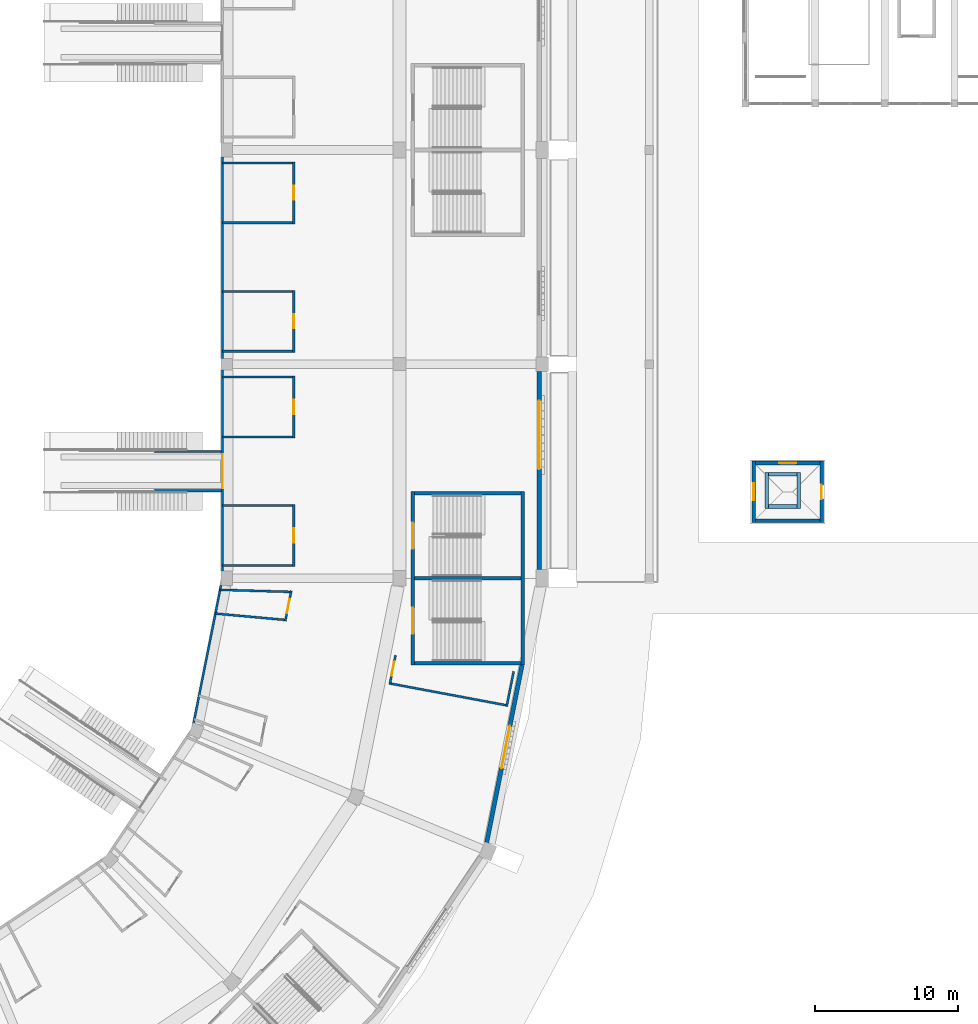
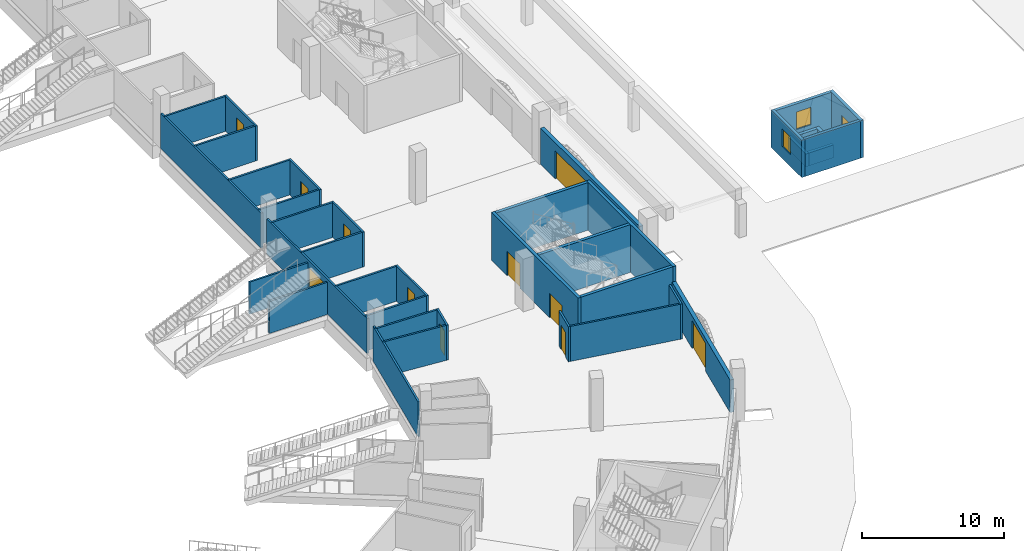
# One storey, part 33 of 175: 38 walls, 12 doors, 2 windows, 14 openings.
"""IFC4 building model written with IfcOpenShell, lengths in metres."""

from ifc_helpers import new_model, si_unit, direction, frame, frame_2d, origin, place, context, subcontext, project, spatial, rectangle, extrude, material, layer, layer_set, type_object, element, fill, save


model = new_model("IFC4")

# Units and contexts
model_context = context("Model", 3, precision=1e-05, world=origin(), true_north=direction((0.0, 1.0)))
body_context = subcontext(model_context, "Body", "Model", "MODEL_VIEW")
ifc_project = project(units=[si_unit("LENGTHUNIT", "METRE"), si_unit("AREAUNIT", "SQUARE_METRE"), si_unit("VOLUMEUNIT", "CUBIC_METRE"), si_unit("PLANEANGLEUNIT", "RADIAN"), si_unit("MASSUNIT", "GRAM", prefix="KILO")], contexts=[model_context])

# Site, building, storey
site_placement = place(None, origin())
site = spatial("IfcSite", under=ifc_project, at=site_placement, CompositionType="ELEMENT")
building_placement = place(site_placement, origin())
building = spatial("IfcBuilding", under=site, at=building_placement, Name="Ogive Plaza Stadium", CompositionType="ELEMENT")
storey_placement = place(building_placement, origin())
storey = spatial("IfcBuildingStorey", under=building, at=storey_placement, Name="L00", CompositionType="ELEMENT", Elevation=0.0)

# Wall, opening, door
ifc_material_1 = material(Name="Masonry blockwork", Category="masonry")
ifc_layer_1 = layer(ifc_material_1, 0.14990234375)
ifc_layer_set_1 = layer_set([ifc_layer_1], Name="Blockwork wall 150")
wall_type_1 = type_object("IfcWallType", Name="Blockwork wall 150", PredefinedType="SOLIDWALL", material=ifc_layer_set_1)
wall_1_placement = place(storey_placement, frame((66.60009765625, -23.324951171875, 0.0), z_axis=(0.0, 0.0, 1.0), x_axis=(0.0, -1.0, 0.0)))
wall_1 = element("IfcWall", 1, at=wall_1_placement, inside=storey, type_object=wall_type_1, Name="Wall L00 B06", PredefinedType="SOLIDWALL", context=body_context, shape_type="SweptSolid", body=[
    extrude(rectangle(XDim=4.35009765625, YDim=0.14990234375, at=frame_2d((2.175048828125, 0.0))), origin(), (0.0, 0.0, 1.0), 3.0),
])
opening_1_placement = place(wall_1_placement, frame((1.675048828125, 0.0, 0.0)))
opening_1 = element("IfcOpeningElement", 2, at=opening_1_placement, cuts=wall_1, Name="Opening D0385", PredefinedType="OPENING", context=body_context, shape_type="SweptSolid", body=[
    extrude(rectangle(XDim=1.0, YDim=2.10009765625, at=frame_2d((0.5, 1.050048828125))), frame((0.0, 0.074951171875, 0.0), z_axis=(0.0, -1.0, 0.0), x_axis=(1.0, 0.0, 0.0)), (0.0, 0.0, 1.0), 0.14990234375),
])
ifc_material_2 = material(Name="Steel ASTM A572 Grade 50", Category="steel")
door_type_1 = type_object("IfcDoorType", Name="Door 1000 x 2100", OperationType="SINGLE_SWING_LEFT", PredefinedType="DOOR", material=ifc_material_2)
door_1_placement = place(opening_1_placement, origin())
door_1 = element("IfcDoor", 3, at=door_1_placement, inside=storey, type_object=door_type_1, Name="Concession Stand B06 door", OperationType="SINGLE_SWING_RIGHT", OverallHeight=2.10009765625, OverallWidth=1.0, PredefinedType="DOOR", context=body_context, shape_type="SweptSolid", body=[
    extrude(rectangle(XDim=1.0, YDim=2.10009765625, at=frame_2d((0.5, 1.050048828125))), frame((0.0, 0.02490234375, 0.0), z_axis=(0.0, -1.0, 0.0), x_axis=(1.0, 0.0, 0.0)), (0.0, 0.0, 1.0), 0.050048828125),
])
fill(opening_1, door_1)

# Walls
for number, where, z_axis, x_axis, name in (
    (4, (61.60009765625, -23.39990234375, 0.0), (0.0, 0.0, 1.0), (1.0, 0.0, 0.0), "Wall L00 B06"),
    (5, (61.60009765625, -27.60009765625, 0.0), (0.0, 0.0, 1.0), (1.0, 0.0, 0.0), "Wall L00 B06"),
):
    element("IfcWall", number, at=place(storey_placement, frame(where, z_axis=z_axis, x_axis=x_axis)), inside=storey, type_object=wall_type_1, Name=name, PredefinedType="SOLIDWALL", context=body_context, shape_type="SweptSolid", body=[
        extrude(rectangle(XDim=4.9248046875, YDim=0.14990234375, at=frame_2d((2.46240234375, 0.0))), origin(), (0.0, 0.0, 1.0), 3.0),
    ])

# Wall, opening, door
wall_2_placement = place(storey_placement, frame((66.60009765625, -32.324951171875, 0.0), z_axis=(0.0, 0.0, 1.0), x_axis=(0.0, -1.0, 0.0)))
wall_2 = element("IfcWall", 6, at=wall_2_placement, inside=storey, type_object=wall_type_1, Name="Wall L00 B06", PredefinedType="SOLIDWALL", context=body_context, shape_type="SweptSolid", body=[
    extrude(rectangle(XDim=4.35009765625, YDim=0.14990234375, at=frame_2d((2.175048828125, 0.0))), origin(), (0.0, 0.0, 1.0), 3.0),
])
opening_2_placement = place(wall_2_placement, frame((1.675048828125, 0.0, 0.0)))
opening_2 = element("IfcOpeningElement", 7, at=opening_2_placement, cuts=wall_2, Name="Opening D0386", PredefinedType="OPENING", context=body_context, shape_type="SweptSolid", body=[
    extrude(rectangle(XDim=1.0, YDim=2.10009765625, at=frame_2d((0.5, 1.050048828125))), frame((0.0, 0.074951171875, 0.0), z_axis=(0.0, -1.0, 0.0), x_axis=(1.0, 0.0, 0.0)), (0.0, 0.0, 1.0), 0.14990234375),
])
door_2_placement = place(opening_2_placement, origin())
door_2 = element("IfcDoor", 8, at=door_2_placement, inside=storey, type_object=door_type_1, Name="Concession Stand B06 door", OperationType="SINGLE_SWING_LEFT", OverallHeight=2.10009765625, OverallWidth=1.0, PredefinedType="DOOR", context=body_context, shape_type="SweptSolid", body=[
    extrude(rectangle(XDim=1.0, YDim=2.10009765625, at=frame_2d((0.5, 1.050048828125))), frame((0.0, 0.02490234375, 0.0), z_axis=(0.0, -1.0, 0.0), x_axis=(1.0, 0.0, 0.0)), (0.0, 0.0, 1.0), 0.050048828125),
])
fill(opening_2, door_2)

# Walls
for number, where, z_axis, x_axis, name in (
    (9, (61.60009765625, -32.39990234375, 0.0), (0.0, 0.0, 1.0), (1.0, 0.0, 0.0), "Wall L00 B06"),
    (10, (61.60009765625, -36.60009765625, 0.0), (0.0, 0.0, 1.0), (1.0, 0.0, 0.0), "Wall L00 B06"),
):
    element("IfcWall", number, at=place(storey_placement, frame(where, z_axis=z_axis, x_axis=x_axis)), inside=storey, type_object=wall_type_1, Name=name, PredefinedType="SOLIDWALL", context=body_context, shape_type="SweptSolid", body=[
        extrude(rectangle(XDim=4.9248046875, YDim=0.14990234375, at=frame_2d((2.46240234375, 0.0))), origin(), (0.0, 0.0, 1.0), 3.0),
    ])

# Wall, opening, door
wall_3_placement = place(storey_placement, frame((66.60009765625, -51.675048828125, 0.0), z_axis=(0.0, 0.0, 1.0), x_axis=(0.0, 1.0, 0.0)))
wall_3 = element("IfcWall", 11, at=wall_3_placement, inside=storey, type_object=wall_type_1, Name="Wall L00 B07", PredefinedType="SOLIDWALL", context=body_context, shape_type="SweptSolid", body=[
    extrude(rectangle(XDim=4.35009765625, YDim=0.14990234375, at=frame_2d((2.175048828125, 0.0))), origin(), (0.0, 0.0, 1.0), 3.0),
])
opening_3_placement = place(wall_3_placement, frame((1.675048828125, 0.0, 0.0)))
opening_3 = element("IfcOpeningElement", 12, at=opening_3_placement, cuts=wall_3, Name="Opening D0387", PredefinedType="OPENING", context=body_context, shape_type="SweptSolid", body=[
    extrude(rectangle(XDim=1.0, YDim=2.10009765625, at=frame_2d((0.5, 1.050048828125))), frame((0.0, 0.074951171875, 0.0), z_axis=(0.0, -1.0, 0.0), x_axis=(1.0, 0.0, 0.0)), (0.0, 0.0, 1.0), 0.14990234375),
])
door_3_placement = place(opening_3_placement, origin())
door_3 = element("IfcDoor", 13, at=door_3_placement, inside=storey, type_object=door_type_1, Name="Concession Stand B07 door", OperationType="SINGLE_SWING_LEFT", OverallHeight=2.10009765625, OverallWidth=1.0, PredefinedType="DOOR", context=body_context, shape_type="SweptSolid", body=[
    extrude(rectangle(XDim=1.0, YDim=2.10009765625, at=frame_2d((0.5, 1.050048828125))), frame((0.0, 0.02490234375, 0.0), z_axis=(0.0, -1.0, 0.0), x_axis=(1.0, 0.0, 0.0)), (0.0, 0.0, 1.0), 0.050048828125),
])
fill(opening_3, door_3)

# Walls
for number, where, z_axis, x_axis, name in (
    (14, (61.60009765625, -51.60009765625, 0.0), (0.0, 0.0, 1.0), (1.0, 0.0, 0.0), "Wall L00 B07"),
    (15, (61.60009765625, -47.39990234375, 0.0), (0.0, 0.0, 1.0), (1.0, 0.0, 0.0), "Wall L00 B07"),
):
    element("IfcWall", number, at=place(storey_placement, frame(where, z_axis=z_axis, x_axis=x_axis)), inside=storey, type_object=wall_type_1, Name=name, PredefinedType="SOLIDWALL", context=body_context, shape_type="SweptSolid", body=[
        extrude(rectangle(XDim=4.9248046875, YDim=0.14990234375, at=frame_2d((2.46240234375, 0.0))), origin(), (0.0, 0.0, 1.0), 3.0),
    ])

# Wall, opening, door
wall_4_placement = place(storey_placement, frame((66.60009765625, -42.675048828125, 0.0), z_axis=(0.0, 0.0, 1.0), x_axis=(0.0, 1.0, 0.0)))
wall_4 = element("IfcWall", 16, at=wall_4_placement, inside=storey, type_object=wall_type_1, Name="Wall L00 B07", PredefinedType="SOLIDWALL", context=body_context, shape_type="SweptSolid", body=[
    extrude(rectangle(XDim=4.35009765625, YDim=0.14990234375, at=frame_2d((2.175048828125, 0.0))), origin(), (0.0, 0.0, 1.0), 3.0),
])
opening_4_placement = place(wall_4_placement, frame((1.675048828125, 0.0, 0.0)))
opening_4 = element("IfcOpeningElement", 17, at=opening_4_placement, cuts=wall_4, Name="Opening D0388", PredefinedType="OPENING", context=body_context, shape_type="SweptSolid", body=[
    extrude(rectangle(XDim=1.0, YDim=2.10009765625, at=frame_2d((0.5, 1.050048828125))), frame((0.0, 0.074951171875, 0.0), z_axis=(0.0, -1.0, 0.0), x_axis=(1.0, 0.0, 0.0)), (0.0, 0.0, 1.0), 0.14990234375),
])
door_4_placement = place(opening_4_placement, origin())
door_4 = element("IfcDoor", 18, at=door_4_placement, inside=storey, type_object=door_type_1, Name="Concession Stand B07 door", OperationType="SINGLE_SWING_RIGHT", OverallHeight=2.10009765625, OverallWidth=1.0, PredefinedType="DOOR", context=body_context, shape_type="SweptSolid", body=[
    extrude(rectangle(XDim=1.0, YDim=2.10009765625, at=frame_2d((0.5, 1.050048828125))), frame((0.0, 0.02490234375, 0.0), z_axis=(0.0, -1.0, 0.0), x_axis=(1.0, 0.0, 0.0)), (0.0, 0.0, 1.0), 0.050048828125),
])
fill(opening_4, door_4)

# Walls
for number, where, z_axis, x_axis, name in (
    (19, (61.60009765625, -42.60009765625, 0.0), (0.0, 0.0, 1.0), (1.0, 0.0, 0.0), "Wall L00 B07"),
    (20, (61.60009765625, -38.39990234375, 0.0), (0.0, 0.0, 1.0), (1.0, 0.0, 0.0), "Wall L00 B07"),
):
    element("IfcWall", number, at=place(storey_placement, frame(where, z_axis=z_axis, x_axis=x_axis)), inside=storey, type_object=wall_type_1, Name=name, PredefinedType="SOLIDWALL", context=body_context, shape_type="SweptSolid", body=[
        extrude(rectangle(XDim=4.9248046875, YDim=0.14990234375, at=frame_2d((2.46240234375, 0.0))), origin(), (0.0, 0.0, 1.0), 3.0),
    ])

# Wall, opening, door
wall_5_placement = place(storey_placement, frame((66.42578125, -53.37646484375, 0.0), z_axis=(0.0, 0.0, 1.0), x_axis=(-0.195184162696, -0.980766609665, 0.0)))
wall_5 = element("IfcWall", 21, at=wall_5_placement, inside=storey, type_object=wall_type_1, Name="Wall L00 B08", PredefinedType="SOLIDWALL", context=body_context, shape_type="SweptSolid", body=[
    extrude(rectangle(XDim=2.16650390625, YDim=0.14990234375, at=frame_2d((1.083251953125, 0.0))), origin(), (0.0, 0.0, 1.0), 3.0),
])
opening_5_placement = place(wall_5_placement, frame((0.583251953125, 0.0, 0.0)))
opening_5 = element("IfcOpeningElement", 22, at=opening_5_placement, cuts=wall_5, Name="Opening D0389", PredefinedType="OPENING", context=body_context, shape_type="SweptSolid", body=[
    extrude(rectangle(XDim=1.0, YDim=2.10009765625, at=frame_2d((0.5, 1.050048828125))), frame((0.0, 0.074951171875, 0.0), z_axis=(0.0, -1.0, 0.0), x_axis=(1.0, 0.0, 0.0)), (0.0, 0.0, 1.0), 0.14990234375),
])
door_5_placement = place(opening_5_placement, origin())
door_5 = element("IfcDoor", 23, at=door_5_placement, inside=storey, type_object=door_type_1, Name="Concession Stand B08 door", OperationType="SINGLE_SWING_LEFT", OverallHeight=2.10009765625, OverallWidth=1.0, PredefinedType="DOOR", context=body_context, shape_type="SweptSolid", body=[
    extrude(rectangle(XDim=1.0, YDim=2.10009765625, at=frame_2d((0.5, 1.050048828125))), frame((0.0, 0.02490234375, 0.0), z_axis=(0.0, -1.0, 0.0), x_axis=(1.0, 0.0, 0.0)), (0.0, 0.0, 1.0), 0.050048828125),
])
fill(opening_5, door_5)

# Walls
wall_6_placement = place(storey_placement, frame((61.43896484375, -53.309326171875, 0.0), z_axis=(0.0, 0.0, 1.0), x_axis=(0.999564604057, -0.02950597086, 0.0)))
element("IfcWall", 24, at=wall_6_placement, inside=storey, type_object=wall_type_1, Name="Wall L00 B08", PredefinedType="SOLIDWALL", context=body_context, shape_type="SweptSolid", body=[
    extrude(rectangle(XDim=4.8984375, YDim=0.14990234375, at=frame_2d((2.44921875, 0.0))), origin(), (0.0, 0.0, 1.0), 3.0),
])
wall_7_placement = place(storey_placement, frame((61.10791015625, -54.973388671875, 0.0), z_axis=(0.0, 0.0, 1.0), x_axis=(0.995862664096, -0.090871085934, 0.0)))
element("IfcWall", 25, at=wall_7_placement, inside=storey, type_object=wall_type_1, Name="Wall L00 B08", PredefinedType="SOLIDWALL", context=body_context, shape_type="SweptSolid", body=[
    extrude(rectangle(XDim=4.857421875, YDim=0.14990234375, at=frame_2d((2.4287109375, 0.0))), origin(), (0.0, 0.0, 1.0), 3.0),
])

# Wall, opening, door
wall_8_placement = place(storey_placement, frame((73.7265625, -57.896240234375, 0.0), z_axis=(0.0, 0.0, 1.0), x_axis=(-0.195055250603, -0.980792255889, 0.0)))
wall_8 = element("IfcWall", 26, at=wall_8_placement, inside=storey, type_object=wall_type_1, Name="Wall L00 B08", PredefinedType="SOLIDWALL", context=body_context, shape_type="SweptSolid", body=[
    extrude(rectangle(XDim=2.080322265625, YDim=0.14990234375, at=frame_2d((1.0400390625, 0.0))), origin(), (0.0, 0.0, 1.0), 3.0),
])
opening_6_placement = place(wall_8_placement, frame((0.47216796875, 0.0, 0.0)))
opening_6 = element("IfcOpeningElement", 27, at=opening_6_placement, cuts=wall_8, Name="Opening D0391", PredefinedType="OPENING", context=body_context, shape_type="SweptSolid", body=[
    extrude(rectangle(XDim=1.0, YDim=2.10009765625, at=frame_2d((0.5, 1.050048828125))), frame((0.0, 0.074951171875, 0.0), z_axis=(0.0, -1.0, 0.0), x_axis=(1.0, 0.0, 0.0)), (0.0, 0.0, 1.0), 0.14990234375),
])
ifc_material_3 = material(Name="Steel ASTM A572 Grade 50", Category="steel")
door_type_2 = type_object("IfcDoorType", Name="Fire door FD60 1000 x 2100", OperationType="SINGLE_SWING_LEFT", PredefinedType="DOOR", material=ifc_material_3)
door_6_placement = place(opening_6_placement, origin())
door_6 = element("IfcDoor", 28, at=door_6_placement, inside=storey, type_object=door_type_2, Name="Cleaner's Store B08 door", OperationType="SINGLE_SWING_LEFT", OverallHeight=2.10009765625, OverallWidth=1.0, PredefinedType="DOOR", context=body_context, shape_type="SweptSolid", body=[
    extrude(rectangle(XDim=1.0, YDim=2.10009765625, at=frame_2d((0.5, 1.050048828125))), frame((0.0, 0.02490234375, 0.0), z_axis=(0.0, -1.0, 0.0), x_axis=(1.0, 0.0, 0.0)), (0.0, 0.0, 1.0), 0.050048828125),
])
fill(opening_6, door_6)

# Walls
wall_9_placement = place(storey_placement, frame((82.0029296875, -59.020263671875, 0.0), z_axis=(0.0, 0.0, 1.0), x_axis=(-0.195032666665, -0.980796747004, 0.0)))
element("IfcWall", 29, at=wall_9_placement, inside=storey, type_object=wall_type_1, Name="Wall L00 B08", PredefinedType="SOLIDWALL", context=body_context, shape_type="SweptSolid", body=[
    extrude(rectangle(XDim=2.513671875, YDim=0.14990234375, at=frame_2d((1.2568359375, 0.0))), origin(), (0.0, 0.0, 1.0), 3.0),
])
wall_10_placement = place(storey_placement, frame((73.40625, -59.88330078125, 0.0), z_axis=(0.0, 0.0, 1.0), x_axis=(0.982896138411, -0.184160747979, 0.0)))
element("IfcWall", 30, at=wall_10_placement, inside=storey, type_object=wall_type_1, Name="Wall L00 B08", PredefinedType="SOLIDWALL", context=body_context, shape_type="SweptSolid", body=[
    extrude(rectangle(XDim=8.190185546875, YDim=0.14990234375, at=frame_2d((4.09521484375, 0.0))), origin(), (0.0, 0.0, 1.0), 3.0),
])
wall_11_placement = place(storey_placement, frame((61.60009765625, -23.0, 0.0), z_axis=(0.0, 0.0, 1.0), x_axis=(0.0, -1.0, 0.0)))
element("IfcWall", 31, at=wall_11_placement, inside=storey, type_object=wall_type_1, Name="Stand rear wall B06", PredefinedType="SOLIDWALL", context=body_context, shape_type="SweptSolid", body=[
    extrude(rectangle(XDim=14.10009765625, YDim=0.14990234375, at=frame_2d((7.050048828125, 0.0))), origin(), (0.0, 0.0, 1.0), 3.0),
])

# Wall, opening, door
wall_12_placement = place(storey_placement, frame((61.60009765625, -37.89990234375, 0.0), z_axis=(0.0, 0.0, 1.0), x_axis=(0.0, -1.0, 0.0)))
wall_12 = element("IfcWall", 32, at=wall_12_placement, inside=storey, type_object=wall_type_1, Name="Stand rear wall B07", PredefinedType="SOLIDWALL", context=body_context, shape_type="SweptSolid", body=[
    extrude(rectangle(XDim=14.10009765625, YDim=0.14990234375, at=frame_2d((7.050048828125, 0.0))), origin(), (0.0, 0.0, 1.0), 3.0),
])
opening_7_placement = place(wall_12_placement, frame((5.89990234375, 0.0, 0.0)))
opening_7 = element("IfcOpeningElement", 33, at=opening_7_placement, cuts=wall_12, Name="Opening D1040", PredefinedType="OPENING", context=body_context, shape_type="SweptSolid", body=[
    extrude(rectangle(XDim=2.39990234375, YDim=2.39990234375, at=frame_2d((1.199951171875, 1.199951171875))), frame((0.0, 0.074951171875, 0.0), z_axis=(0.0, -1.0, 0.0), x_axis=(1.0, 0.0, 0.0)), (0.0, 0.0, 1.0), 0.14990234375),
])
ifc_material_4 = material(Name="Steel ASTM A572 Grade 50", Category="steel")
door_type_3 = type_object("IfcDoorType", Name="Service door pair 2400 x 2400", OperationType="DOUBLE_DOOR_SINGLE_SWING", PredefinedType="DOOR", material=ifc_material_4)
door_7_placement = place(opening_7_placement, origin())
door_7 = element("IfcDoor", 34, at=door_7_placement, inside=storey, type_object=door_type_3, Name="Vomitory portal door B07", OperationType="DOUBLE_DOOR_SINGLE_SWING", OverallHeight=2.39990234375, OverallWidth=2.39990234375, PredefinedType="DOOR", context=body_context, shape_type="SweptSolid", body=[
    extrude(rectangle(XDim=2.39990234375, YDim=2.39990234375, at=frame_2d((1.199951171875, 1.199951171875))), frame((0.0, 0.02490234375, 0.0), z_axis=(0.0, -1.0, 0.0), x_axis=(1.0, 0.0, 0.0)), (0.0, 0.0, 1.0), 0.050048828125),
])
fill(opening_7, door_7)

# Wall
wall_13_placement = place(storey_placement, frame((61.50048828125, -53.0, 0.0), z_axis=(0.0, 0.0, 1.0), x_axis=(-0.195081244333, -0.980787086023, 0.0)))
element("IfcWall", 35, at=wall_13_placement, inside=storey, type_object=wall_type_1, Name="Stand rear wall B08", PredefinedType="SOLIDWALL", context=body_context, shape_type="SweptSolid", body=[
    extrude(rectangle(XDim=9.80029296875, YDim=0.14990234375, at=frame_2d((4.900146484375, 0.0))), origin(), (0.0, 0.0, 1.0), 3.0),
])

# Wall, openings, doors
ifc_material_5 = material(Name="Concrete C40/50", Category="concrete")
ifc_layer_2 = layer(ifc_material_5, 0.25)
ifc_layer_set_2 = layer_set([ifc_layer_2], Name="Concrete C40/50")
wall_type_2 = type_object("IfcWallType", Name="Core wall 250", PredefinedType="SHEAR", material=ifc_layer_set_2)
wall_14_placement = place(storey_placement, frame((74.925048828125, -58.574951171875, 0.0), z_axis=(0.0, 0.0, 1.0), x_axis=(0.0, 1.0, 0.0)))
wall_14 = element("IfcWall", 36, at=wall_14_placement, inside=storey, type_object=wall_type_2, Name="Stair core R08 inner wall", PredefinedType="SHEAR", context=body_context, shape_type="SweptSolid", body=[
    extrude(rectangle(XDim=12.14990234375, YDim=0.25, at=frame_2d((6.074951171875, 0.0))), origin(), (0.0, 0.0, 1.0), 4.090087890625),
])
opening_8_placement = place(wall_14_placement, frame((2.199951171875, 0.0, 0.0)))
opening_8 = element("IfcOpeningElement", 37, at=opening_8_placement, cuts=wall_14, Name="Opening D0081", PredefinedType="OPENING", context=body_context, shape_type="SweptSolid", body=[
    extrude(rectangle(XDim=1.800048828125, YDim=2.10009765625, at=frame_2d((0.89990234375, 1.050048828125))), frame((0.0, 0.125, 0.0), z_axis=(0.0, -1.0, 0.0), x_axis=(1.0, 0.0, 0.0)), (0.0, 0.0, 1.0), 0.25),
])
opening_9_placement = place(wall_14_placement, frame((8.14990234375, 0.0, 0.0)))
opening_9 = element("IfcOpeningElement", 38, at=opening_9_placement, cuts=wall_14, Name="Opening D0082", PredefinedType="OPENING", context=body_context, shape_type="SweptSolid", body=[
    extrude(rectangle(XDim=1.800048828125, YDim=2.10009765625, at=frame_2d((0.89990234375, 1.050048828125))), frame((0.0, 0.125, 0.0), z_axis=(0.0, -1.0, 0.0), x_axis=(1.0, 0.0, 0.0)), (0.0, 0.0, 1.0), 0.25),
])
ifc_material_6 = material(Name="Steel ASTM A572 Grade 50", Category="steel")
door_type_4 = type_object("IfcDoorType", Name="Fire door FD90 pair 1800 x 2100", OperationType="DOUBLE_DOOR_SINGLE_SWING", PredefinedType="DOOR", material=ifc_material_6)
door_8_placement = place(opening_8_placement, origin())
door_8 = element("IfcDoor", 39, at=door_8_placement, inside=storey, type_object=door_type_4, Name="Exit stair R08A door L00", OperationType="DOUBLE_DOOR_SINGLE_SWING", OverallHeight=2.10009765625, OverallWidth=1.800048828125, PredefinedType="DOOR", context=body_context, shape_type="SweptSolid", body=[
    extrude(rectangle(XDim=1.800048828125, YDim=2.10009765625, at=frame_2d((0.89990234375, 1.050048828125))), frame((0.0, 0.02490234375, 0.0), z_axis=(0.0, -1.0, 0.0), x_axis=(1.0, 0.0, 0.0)), (0.0, 0.0, 1.0), 0.050048828125),
])
fill(opening_8, door_8)
door_9_placement = place(opening_9_placement, origin())
door_9 = element("IfcDoor", 40, at=door_9_placement, inside=storey, type_object=door_type_4, Name="Exit stair R08B door L00", OperationType="DOUBLE_DOOR_SINGLE_SWING", OverallHeight=2.10009765625, OverallWidth=1.800048828125, PredefinedType="DOOR", context=body_context, shape_type="SweptSolid", body=[
    extrude(rectangle(XDim=1.800048828125, YDim=2.10009765625, at=frame_2d((0.89990234375, 1.050048828125))), frame((0.0, 0.02490234375, 0.0), z_axis=(0.0, -1.0, 0.0), x_axis=(1.0, 0.0, 0.0)), (0.0, 0.0, 1.0), 0.050048828125),
])
fill(opening_9, door_9)

# Walls
wall_15_placement = place(storey_placement, frame((82.635009765625, -58.574951171875, 0.0), z_axis=(0.0, 0.0, 1.0), x_axis=(0.0, 1.0, 0.0)))
element("IfcWall", 41, at=wall_15_placement, inside=storey, type_object=wall_type_2, Name="Stair core R08 outer wall", PredefinedType="SHEAR", context=body_context, shape_type="SweptSolid", body=[
    extrude(rectangle(XDim=12.14990234375, YDim=0.25, at=frame_2d((6.074951171875, 0.0))), origin(), (0.0, 0.0, 1.0), 4.090087890625),
])
for number, where, z_axis, x_axis, name in (
    (42, (75.050048828125, -58.449951171875, 0.0), (0.0, 0.0, 1.0), (1.0, 0.0, 0.0), "Stair core R08 side wall"),
    (43, (75.050048828125, -46.550048828125, 0.0), (0.0, 0.0, 1.0), (1.0, 0.0, 0.0), "Stair core R08 side wall"),
    (44, (75.050048828125, -52.5, 0.0), (0.0, 0.0, 1.0), (1.0, 0.0, 0.0), "Stair core R08 centre wall"),
):
    element("IfcWall", number, at=place(storey_placement, frame(where, z_axis=z_axis, x_axis=x_axis)), inside=storey, type_object=wall_type_2, Name=name, PredefinedType="SHEAR", context=body_context, shape_type="SweptSolid", body=[
        extrude(rectangle(XDim=7.4599609375, YDim=0.25, at=frame_2d((3.72998046875, 0.0))), origin(), (0.0, 0.0, 1.0), 4.090087890625),
    ])

# Wall, opening, window
ifc_material_7 = material(Name="Concrete C45/55 precast", Category="concrete")
ifc_layer_3 = layer(ifc_material_7, 0.199951171875)
ifc_material_8 = material(Name="Cast stone (reconstituted limestone)", Category="masonry")
ifc_layer_4 = layer(ifc_material_8, 0.050048828125)
ifc_layer_set_3 = layer_set([ifc_layer_3, ifc_layer_4], Name="Concrete C45/55 precast, cast stone facing")
wall_type_3 = type_object("IfcWallType", Name="Kiosk wall 250", PredefinedType="SOLIDWALL", material=ifc_layer_set_3)
wall_16_placement = place(storey_placement, frame((98.824951171875, -48.60009765625, 0.0), z_axis=(0.0, 0.0, 1.0), x_axis=(0.0, 1.0, 0.0)))
wall_16 = element("IfcWall", 45, at=wall_16_placement, inside=storey, type_object=wall_type_3, Name="Kiosk wall 250 L00 west", PredefinedType="SOLIDWALL", context=body_context, shape_type="SweptSolid", body=[
    extrude(rectangle(XDim=4.300048828125, YDim=0.25, at=frame_2d((2.14990234375, 0.0))), origin(), (0.0, 0.0, 1.0), 3.199951171875),
])
opening_10_placement = place(wall_16_placement, frame((1.550048828125, 0.0, 1.0)))
opening_10 = element("IfcOpeningElement", 46, at=opening_10_placement, cuts=wall_16, Name="Opening VL1b", PredefinedType="OPENING", context=body_context, shape_type="SweptSolid", body=[
    extrude(rectangle(XDim=1.199951171875, YDim=1.5, at=frame_2d((0.60009765625, 0.75))), frame((0.0, 0.125, 0.0), z_axis=(0.0, -1.0, 0.0), x_axis=(1.0, 0.0, 0.0)), (0.0, 0.0, 1.0), 0.25),
])
ifc_material_9 = material(Name="Aluminium louvre", Category="aluminium")
window_type = type_object("IfcWindowType", Name="Ventilation louvre 1200x1500", PartitioningType="SINGLE_PANEL", PredefinedType="WINDOW", material=ifc_material_9)
window_1_placement = place(opening_10_placement, origin())
window_1 = element("IfcWindow", 47, at=window_1_placement, inside=storey, type_object=window_type, Name="Ventilation louvre 1b", OverallHeight=1.5, OverallWidth=1.199951171875, PartitioningType="SINGLE_PANEL", PredefinedType="WINDOW", context=body_context, shape_type="SweptSolid", body=[
    extrude(rectangle(XDim=1.199951171875, YDim=1.5, at=frame_2d((0.60009765625, 0.75))), frame((0.0, 0.030029296875, 0.0), z_axis=(0.0, -1.0, 0.0), x_axis=(1.0, 0.0, 0.0)), (0.0, 0.0, 1.0), 0.06005859375),
])
fill(opening_10, window_1)

# Wall, opening, door
wall_17_placement = place(storey_placement, frame((103.574951171875, -48.60009765625, 0.0), z_axis=(0.0, 0.0, 1.0), x_axis=(0.0, 1.0, 0.0)))
wall_17 = element("IfcWall", 48, at=wall_17_placement, inside=storey, type_object=wall_type_3, Name="Kiosk wall 250 L00 east", PredefinedType="SOLIDWALL", context=body_context, shape_type="SweptSolid", body=[
    extrude(rectangle(XDim=4.300048828125, YDim=0.25, at=frame_2d((2.14990234375, 0.0))), origin(), (0.0, 0.0, 1.0), 3.199951171875),
])
opening_11_placement = place(wall_17_placement, frame((1.64990234375, 0.0, 0.0)))
opening_11 = element("IfcOpeningElement", 49, at=opening_11_placement, cuts=wall_17, Name="Opening SD035", PredefinedType="OPENING", context=body_context, shape_type="SweptSolid", body=[
    extrude(rectangle(XDim=1.0, YDim=2.10009765625, at=frame_2d((0.5, 1.050048828125))), frame((0.0, 0.125, 0.0), z_axis=(0.0, -1.0, 0.0), x_axis=(1.0, 0.0, 0.0)), (0.0, 0.0, 1.0), 0.25),
])
ifc_material_10 = material(Name="Steel door set", Category="steel")
door_type_5 = type_object("IfcDoorType", Name="Service door 1000 x 2100", OperationType="SINGLE_SWING_LEFT", PredefinedType="DOOR", material=ifc_material_10)
door_10_placement = place(opening_11_placement, frame((1.0, 0.0, 0.0), z_axis=(0.0, 0.0, 1.0), x_axis=(-1.0, 0.0, 0.0)))
door_10 = element("IfcDoor", 50, at=door_10_placement, inside=storey, type_object=door_type_5, Name="Door SD035", OperationType="SINGLE_SWING_RIGHT", OverallHeight=2.10009765625, OverallWidth=1.0, PredefinedType="DOOR", context=body_context, shape_type="SweptSolid", body=[
    extrude(rectangle(XDim=1.0, YDim=2.10009765625, at=frame_2d((0.5, 1.050048828125))), frame((0.0, 0.02490234375, 0.0), z_axis=(0.0, -1.0, 0.0), x_axis=(1.0, 0.0, 0.0)), (0.0, 0.0, 1.0), 0.050048828125),
])
fill(opening_11, door_10)

# Wall
wall_18_placement = place(storey_placement, frame((98.949951171875, -48.47509765625, 0.0), z_axis=(0.0, 0.0, 1.0), x_axis=(1.0, 0.0, 0.0)))
element("IfcWall", 51, at=wall_18_placement, inside=storey, type_object=wall_type_3, Name="Kiosk wall 250 L00 south", PredefinedType="SOLIDWALL", context=body_context, shape_type="SweptSolid", body=[
    extrude(rectangle(XDim=4.5, YDim=0.25, at=frame_2d((2.25, 0.0))), origin(), (0.0, 0.0, 1.0), 3.199951171875),
])

# Wall, opening, window
wall_19_placement = place(storey_placement, frame((98.949951171875, -44.425048828125, 0.0), z_axis=(0.0, 0.0, 1.0), x_axis=(1.0, 0.0, 0.0)))
wall_19 = element("IfcWall", 52, at=wall_19_placement, inside=storey, type_object=wall_type_3, Name="Kiosk wall 250 L00 north", PredefinedType="SOLIDWALL", context=body_context, shape_type="SweptSolid", body=[
    extrude(rectangle(XDim=4.5, YDim=0.25, at=frame_2d((2.25, 0.0))), origin(), (0.0, 0.0, 1.0), 3.199951171875),
])
opening_12_placement = place(wall_19_placement, frame((1.64990234375, 0.0, 1.0)))
opening_12 = element("IfcOpeningElement", 53, at=opening_12_placement, cuts=wall_19, Name="Opening VL1a", PredefinedType="OPENING", context=body_context, shape_type="SweptSolid", body=[
    extrude(rectangle(XDim=1.199951171875, YDim=1.5, at=frame_2d((0.60009765625, 0.75))), frame((0.0, 0.125, 0.0), z_axis=(0.0, -1.0, 0.0), x_axis=(1.0, 0.0, 0.0)), (0.0, 0.0, 1.0), 0.25),
])
window_2_placement = place(opening_12_placement, origin())
window_2 = element("IfcWindow", 54, at=window_2_placement, inside=storey, type_object=window_type, Name="Ventilation louvre 1a", OverallHeight=1.5, OverallWidth=1.199951171875, PartitioningType="SINGLE_PANEL", PredefinedType="WINDOW", context=body_context, shape_type="SweptSolid", body=[
    extrude(rectangle(XDim=1.199951171875, YDim=1.5, at=frame_2d((0.60009765625, 0.75))), frame((0.0, 0.030029296875, 0.0), z_axis=(0.0, -1.0, 0.0), x_axis=(1.0, 0.0, 0.0)), (0.0, 0.0, 1.0), 0.06005859375),
])
fill(opening_12, window_2)

# Wall, opening, door
ifc_material_11 = material(Name="Concrete C45/55 precast", Category="concrete")
ifc_layer_5 = layer(ifc_material_11, 0.25)
ifc_material_12 = material(Name="Cast stone (reconstituted limestone)", Category="masonry")
ifc_layer_6 = layer(ifc_material_12, 0.050048828125)
ifc_layer_set_4 = layer_set([ifc_layer_5, ifc_layer_6], Name="Concrete C45/55 precast, cast stone facing")
wall_type_4 = type_object("IfcWallType", Name="Portal infill wall 300", PredefinedType="SOLIDWALL", material=ifc_layer_set_4)
wall_20_placement = place(storey_placement, frame((83.800048828125, -38.0, 0.0), z_axis=(0.0, 0.0, 1.0), x_axis=(0.0, -1.0, 0.0)))
wall_20 = element("IfcWall", 55, at=wall_20_placement, inside=storey, type_object=wall_type_4, Name="PORTAL WALL B07", PredefinedType="SOLIDWALL", context=body_context, shape_type="SweptSolid", body=[
    extrude(rectangle(XDim=13.89990234375, YDim=0.300048828125, at=frame_2d((6.949951171875, 0.0))), origin(), (0.0, 0.0, 1.0), 3.090087890625),
])
opening_13_placement = place(wall_20_placement, frame((2.0625, 0.0, 0.0)))
opening_13 = element("IfcOpeningElement", 56, at=opening_13_placement, cuts=wall_20, Name="Opening D0007", PredefinedType="OPENING", context=body_context, shape_type="SweptSolid", body=[
    extrude(rectangle(XDim=4.800048828125, YDim=2.39990234375, at=frame_2d((2.39990234375, 1.199951171875))), frame((0.0, 0.16015625, 0.0), z_axis=(0.0, -1.0, 0.0), x_axis=(1.0, 0.0, 0.0)), (0.0, 0.0, 1.0), 0.320068359375),
])
ifc_material_13 = material(Name="Bronze-anodised aluminium and laminated glass", Category="aluminium")
door_type_6 = type_object("IfcDoorType", Name="Entrance door pair 4800 x 2400", OperationType="DOUBLE_DOOR_SINGLE_SWING", PredefinedType="DOOR", material=ifc_material_13)
door_11_placement = place(opening_13_placement, origin())
door_11 = element("IfcDoor", 57, at=door_11_placement, inside=storey, type_object=door_type_6, Name="Main entrance E4", OperationType="DOUBLE_DOOR_SINGLE_SWING", OverallHeight=2.39990234375, OverallWidth=4.800048828125, PredefinedType="DOOR", context=body_context, shape_type="SweptSolid", body=[
    extrude(rectangle(XDim=4.800048828125, YDim=2.39990234375, at=frame_2d((2.39990234375, 1.199951171875))), frame((0.0, 0.02490234375, 0.0), z_axis=(0.0, -1.0, 0.0), x_axis=(1.0, 0.0, 0.0)), (0.0, 0.0, 1.0), 0.050048828125),
])
fill(opening_13, door_11)

ifc_material_14 = material(Name="Concrete C45/55 precast", Category="concrete")
ifc_layer_7 = layer(ifc_material_14, 0.25)
ifc_material_15 = material(Name="Cast stone (reconstituted limestone)", Category="masonry")
ifc_layer_8 = layer(ifc_material_15, 0.050048828125)
ifc_layer_set_5 = layer_set([ifc_layer_7, ifc_layer_8], Name="Concrete C45/55 precast, cast stone facing")
wall_type_5 = type_object("IfcWallType", Name="Portal infill wall 300 A", PredefinedType="SOLIDWALL", material=ifc_layer_set_5)
wall_21_placement = place(storey_placement, frame((82.587646484375, -58.574951171875, 0.0), z_axis=(0.0, 0.0, 1.0), x_axis=(-0.195086247086, -0.980786090948, 0.0)))
wall_21 = element("IfcWall", 58, at=wall_21_placement, inside=storey, type_object=wall_type_5, Name="PORTAL WALL B08", PredefinedType="SOLIDWALL", context=body_context, shape_type="SweptSolid", body=[
    extrude(rectangle(XDim=12.674560546875, YDim=0.300048828125, at=frame_2d((6.33740234375, 0.0))), origin(), (0.0, 0.0, 1.0), 2.7900390625),
])
opening_14_placement = place(wall_21_placement, frame((4.363037109375, 0.0, 0.0)))
opening_14 = element("IfcOpeningElement", 59, at=opening_14_placement, cuts=wall_21, Name="Opening D0008", PredefinedType="OPENING", context=body_context, shape_type="SweptSolid", body=[
    extrude(rectangle(XDim=3.0, YDim=2.39990234375, at=frame_2d((1.5, 1.199951171875))), frame((0.0, 0.16015625, 0.0), z_axis=(0.0, -1.0, 0.0), x_axis=(1.0, 0.0, 0.0)), (0.0, 0.0, 1.0), 0.320068359375),
])
ifc_material_16 = material(Name="Bronze-anodised aluminium and laminated glass", Category="aluminium")
door_type_7 = type_object("IfcDoorType", Name="Exit gate door pair 3000 x 2400", OperationType="DOUBLE_DOOR_SINGLE_SWING", PredefinedType="DOOR", material=ifc_material_16)
door_12_placement = place(opening_14_placement, origin())
door_12 = element("IfcDoor", 60, at=door_12_placement, inside=storey, type_object=door_type_7, Name="Pedestrian exit gate G4", OperationType="DOUBLE_DOOR_SINGLE_SWING", OverallHeight=2.39990234375, OverallWidth=3.0, PredefinedType="DOOR", context=body_context, shape_type="SweptSolid", body=[
    extrude(rectangle(XDim=3.0, YDim=2.39990234375, at=frame_2d((1.5, 1.199951171875))), frame((0.0, 0.02490234375, 0.0), z_axis=(0.0, -1.0, 0.0), x_axis=(1.0, 0.0, 0.0)), (0.0, 0.0, 1.0), 0.050048828125),
])
fill(opening_14, door_12)

# Walls
ifc_material_17 = material(Name="Concrete C40/50", Category="concrete")
ifc_layer_9 = layer(ifc_material_17, 0.25)
ifc_layer_set_6 = layer_set([ifc_layer_9], Name="Concrete C40/50")
wall_type_6 = type_object("IfcWallType", Name="Riser shaft wall 250", PredefinedType="SHEAR", material=ifc_layer_set_6)
for number, where, z_axis, x_axis, name in (
    (61, (99.72509765625, -47.60009765625, 0.0), (0.0, 0.0, 1.0), (0.0, 1.0, 0.0), "Riser shaft wall 250 L00 west"),
    (62, (101.97509765625, -47.60009765625, 0.0), (0.0, 0.0, 1.0), (0.0, 1.0, 0.0), "Riser shaft wall 250 L00 east"),
):
    element("IfcWall", number, at=place(storey_placement, frame(where, z_axis=z_axis, x_axis=x_axis)), inside=storey, type_object=wall_type_6, Name=name, PredefinedType="SHEAR", context=body_context, shape_type="SweptSolid", body=[
        extrude(rectangle(XDim=2.5, YDim=0.25, at=frame_2d((1.25, 0.0))), origin(), (0.0, 0.0, 1.0), 1.10009765625),
    ])
for number, where, z_axis, x_axis, name in (
    (63, (99.85009765625, -47.47509765625, 0.0), (0.0, 0.0, 1.0), (1.0, 0.0, 0.0), "Riser shaft wall 250 L00 south"),
    (64, (99.85009765625, -45.22509765625, 0.0), (0.0, 0.0, 1.0), (1.0, 0.0, 0.0), "Riser shaft wall 250 L00 north"),
):
    element("IfcWall", number, at=place(storey_placement, frame(where, z_axis=z_axis, x_axis=x_axis)), inside=storey, type_object=wall_type_6, Name=name, PredefinedType="SHEAR", context=body_context, shape_type="SweptSolid", body=[
        extrude(rectangle(XDim=2.0, YDim=0.25, at=frame_2d((1.0, 0.0))), origin(), (0.0, 0.0, 1.0), 1.10009765625),
    ])
ifc_material_18 = material(Name="Concrete C40/50", Category="concrete")
ifc_layer_10 = layer(ifc_material_18, 0.14990234375)
ifc_layer_set_7 = layer_set([ifc_layer_10], Name="Concrete C40/50")
wall_type_7 = type_object("IfcWallType", Name="Vomitory wall 150", PredefinedType="SOLIDWALL", material=ifc_layer_set_7)
for number, where, z_axis, x_axis, name in (
    (65, (56.800048828125, -46.3701171875, 0.0), (0.0, 0.0, 1.0), (1.0, 0.0, 0.0), "Vomitory tunnel wall B07"),
    (66, (56.800048828125, -43.6298828125, 0.0), (0.0, 0.0, 1.0), (1.0, 0.0, 0.0), "Vomitory tunnel wall B07"),
):
    element("IfcWall", number, at=place(storey_placement, frame(where, z_axis=z_axis, x_axis=x_axis)), inside=storey, type_object=wall_type_7, Name=name, PredefinedType="SOLIDWALL", context=body_context, shape_type="SweptSolid", body=[
        extrude(rectangle(XDim=4.724853515625, YDim=0.14990234375, at=frame_2d((2.3623046875, 0.0))), origin(), (0.0, 0.0, 1.0), 2.75),
    ])

save(model, "model.ifc")
